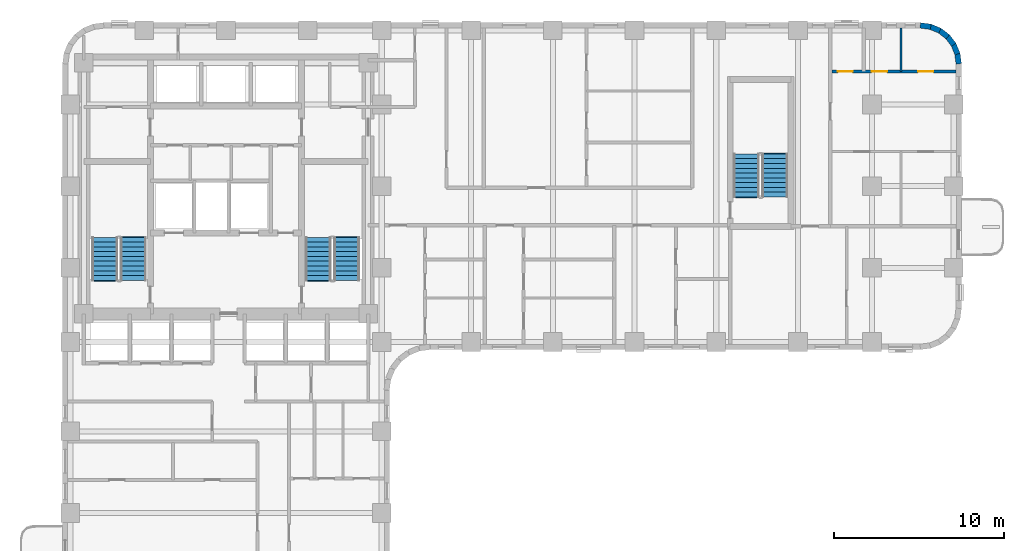
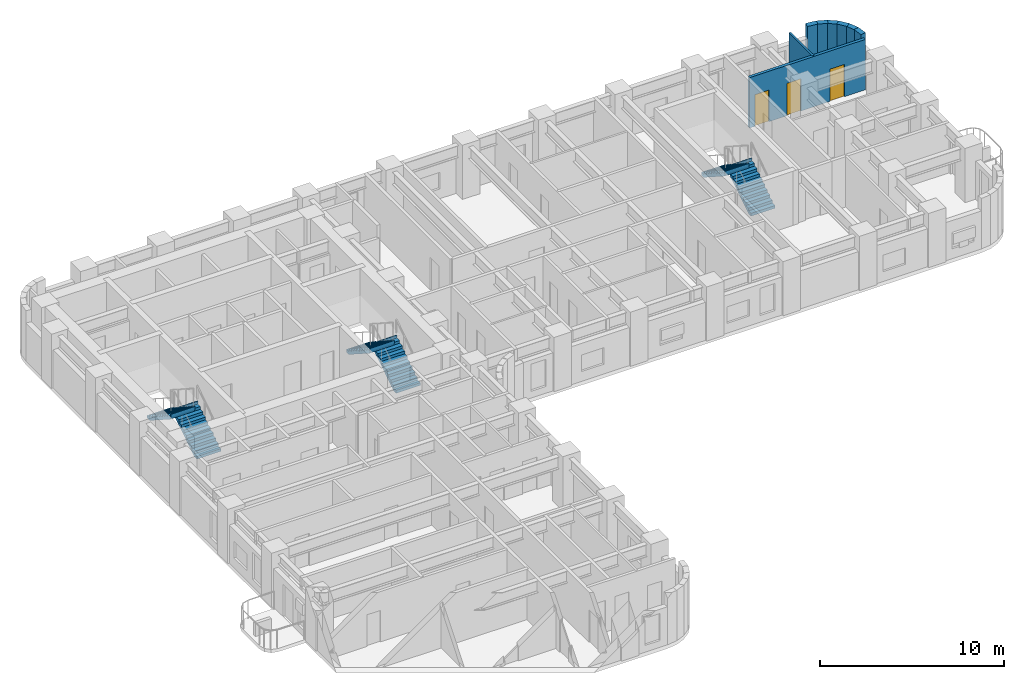
# One storey, part 8 of 11: 8 walls, 6 stair flights, 3 doors, 3 openings, 3 elements without a shape of their own.
"""IFC4 building model written with IfcOpenShell, lengths in metres."""

from ifc_helpers import new_model, si_unit, direction, frame, frame_2d, origin, place, context, subcontext, project, spatial, polyline, rectangle, outline, extrude, material, layer, layer_set, type_object, element, fill, aggregate, save


model = new_model("IFC4")

# Units and contexts
model_context = context("Model", 3, precision=1e-05, world=origin(), true_north=direction((0.0, 1.0)))
body_context = subcontext(model_context, "Body", "Model", "MODEL_VIEW")
ifc_project = project(units=[si_unit("LENGTHUNIT", "METRE"), si_unit("AREAUNIT", "SQUARE_METRE"), si_unit("VOLUMEUNIT", "CUBIC_METRE"), si_unit("PLANEANGLEUNIT", "RADIAN"), si_unit("MASSUNIT", "GRAM", prefix="KILO")], contexts=[model_context])

# Site, building, storey
site_placement = place(None, origin())
site = spatial("IfcSite", under=ifc_project, at=site_placement, CompositionType="ELEMENT")
building_placement = place(site_placement, origin())
building = spatial("IfcBuilding", under=site, at=building_placement, Name="Orvandelia Arch Residences", CompositionType="ELEMENT")
storey_placement = place(building_placement, frame((0.0, 0.0, 50.199951171875)))
storey = spatial("IfcBuildingStorey", under=building, at=storey_placement, Name="L12", CompositionType="ELEMENT", Elevation=50.199951171875)

# Walls
ifc_material_1 = material(Name="Precast concrete C40/50", Category="concrete")
ifc_layer_1 = layer(ifc_material_1, 0.320068359375, Name="Precast concrete C40/50", Category="concrete")
ifc_layer_set_1 = layer_set([ifc_layer_1], Name="Precast concrete C40/50")
wall_type_1 = type_object("IfcWallType", Name="WL-EXT-STONE-320", PredefinedType="STANDARD", material=ifc_layer_set_1)
for number, where, z_axis, x_axis, name in (
    (1, (55.17919921875, 47.84130859375, 0.0), (0.0, 0.0, 1.0), (0.9914410257, -0.130555323746, 0.0), "Coral-Limestone Precast Facade Wall L12-008"),
    (2, (55.760009765625, 47.7705078125, 0.0), (0.0, 0.0, 1.0), (0.92389335771, -0.382650053678, 0.0), "Coral-Limestone Precast Facade Wall L12-009"),
):
    element("IfcWall", number, at=place(storey_placement, frame(where, z_axis=z_axis, x_axis=x_axis)), inside=storey, type_object=wall_type_1, Name=name, PredefinedType="STANDARD", context=body_context, shape_type="SweptSolid", body=[
        extrude(rectangle(XDim=0.62646484375, YDim=0.320068359375, at=frame_2d((0.313232421875, 0.0))), origin(), (0.0, 0.0, 1.0), 3.35009765625),
    ])
wall_1_placement = place(storey_placement, frame((56.302490234375, 47.551513671875, 0.0), z_axis=(0.0, 0.0, 1.0), x_axis=(0.793549926411, -0.608505147302, 0.0)))
element("IfcWall", 3, at=wall_1_placement, inside=storey, type_object=wall_type_1, Name="Coral-Limestone Precast Facade Wall L12-010", PredefinedType="STANDARD", context=body_context, shape_type="SweptSolid", body=[
    extrude(rectangle(XDim=0.626708984375, YDim=0.320068359375, at=frame_2d((0.3134765625, 0.0))), origin(), (0.0, 0.0, 1.0), 3.35009765625),
])
for number, where, z_axis, x_axis, name in (
    (4, (56.770263671875, 47.19970703125, 0.0), (0.0, 0.0, 1.0), (0.608693302629, -0.793405610854, 0.0), "Coral-Limestone Precast Facade Wall L12-011"),
    (5, (57.130615234375, 46.73876953125, 0.0), (0.0, 0.0, 1.0), (0.382650053678, -0.92389335771, 0.0), "Coral-Limestone Precast Facade Wall L12-012"),
    (6, (57.359619140625, 46.2001953125, 0.0), (0.0, 0.0, 1.0), (0.130555323746, -0.9914410257, 0.0), "Coral-Limestone Precast Facade Wall L12-013"),
):
    element("IfcWall", number, at=place(storey_placement, frame(where, z_axis=z_axis, x_axis=x_axis)), inside=storey, type_object=wall_type_1, Name=name, PredefinedType="STANDARD", context=body_context, shape_type="SweptSolid", body=[
        extrude(rectangle(XDim=0.62646484375, YDim=0.320068359375, at=frame_2d((0.313232421875, 0.0))), origin(), (0.0, 0.0, 1.0), 3.35009765625),
    ])
ifc_material_2 = material(Name="Lightweight Gypsum Stud Partition")
ifc_layer_2 = layer(ifc_material_2, 0.1201171875, Name="Lightweight Gypsum Stud Partition")
ifc_layer_set_2 = layer_set([ifc_layer_2], Name="Lightweight Gypsum Stud Partition")
wall_type_2 = type_object("IfcWallType", Name="WL-PART-120", PredefinedType="PARTITIONING", material=ifc_layer_set_2)
wall_2_placement = place(storey_placement, frame((54.048095703125, 45.138916015625, 0.0), z_axis=(0.0, 0.0, 1.0), x_axis=(0.0, 1.0, 0.0)))
element("IfcWall", 7, at=wall_2_placement, inside=storey, type_object=wall_type_2, Name="Interior Partition Wall WL-L12-U10-V2", PredefinedType="PARTITIONING", context=body_context, shape_type="SweptSolid", body=[
    extrude(rectangle(XDim=2.541015625, YDim=0.1201171875, at=frame_2d((1.2705078125, 0.0))), origin(), (0.0, 0.0, 1.0), 3.35009765625),
])

# Wall, openings, doors
ifc_material_3 = material(Name="Moisture-Resistant Plumbing Wall")
ifc_layer_3 = layer(ifc_material_3, 0.179931640625, Name="Moisture-Resistant Plumbing Wall")
ifc_layer_set_3 = layer_set([ifc_layer_3], Name="Moisture-Resistant Plumbing Wall")
wall_type_3 = type_object("IfcWallType", Name="WL-WET-180", PredefinedType="PLUMBINGWALL", material=ifc_layer_set_3)
wall_3_placement = place(storey_placement, frame((50.0, 45.138916015625, 0.0), z_axis=(0.0, 0.0, 1.0), x_axis=(1.0, 0.0, 0.0)))
wall_3 = element("IfcWall", 8, at=wall_3_placement, inside=storey, type_object=wall_type_3, Name="Interior Partition Wall WL-L12-U10-HZ", PredefinedType="PLUMBINGWALL", context=body_context, shape_type="SweptSolid", body=[
    extrude(rectangle(XDim=7.280029296875, YDim=0.179931640625, at=frame_2d((3.64013671875, 0.0))), origin(), (0.0, 0.0, 1.0), 3.35009765625),
])
opening_1_placement = place(wall_3_placement, frame((0.343017578125, 0.0, 0.0)))
opening_1 = element("IfcOpeningElement", 9, at=opening_1_placement, cuts=wall_3, Name="Opening D4", PredefinedType="OPENING", context=body_context, shape_type="SweptSolid", body=[
    extrude(rectangle(XDim=0.860107421875, YDim=2.10009765625, at=frame_2d((0.43017578125, 1.050048828125))), frame((0.0, 0.10009765625, 0.0), z_axis=(0.0, -1.0, 0.0), x_axis=(1.0, 0.0, 0.0)), (0.0, 0.0, 1.0), 0.199951171875),
])
opening_2_placement = place(wall_3_placement, frame((2.328125, 0.0, 0.0)))
opening_2 = element("IfcOpeningElement", 10, at=opening_2_placement, cuts=wall_3, Name="Opening D3", PredefinedType="OPENING", context=body_context, shape_type="SweptSolid", body=[
    extrude(rectangle(XDim=0.89990234375, YDim=2.14990234375, at=frame_2d((0.449951171875, 1.074951171875))), frame((0.0, 0.10009765625, 0.0), z_axis=(0.0, -1.0, 0.0), x_axis=(1.0, 0.0, 0.0)), (0.0, 0.0, 1.0), 0.199951171875),
])
opening_3_placement = place(wall_3_placement, frame((5.056884765625, 0.0, 0.0)))
opening_3 = element("IfcOpeningElement", 11, at=opening_3_placement, cuts=wall_3, Name="Opening D3", PredefinedType="OPENING", context=body_context, shape_type="SweptSolid", body=[
    extrude(rectangle(XDim=0.89990234375, YDim=2.14990234375, at=frame_2d((0.449951171875, 1.074951171875))), frame((0.0, 0.10009765625, 0.0), z_axis=(0.0, -1.0, 0.0), x_axis=(1.0, 0.0, 0.0)), (0.0, 0.0, 1.0), 0.199951171875),
])
ifc_material_4 = material(Name="Engineered Timber Flush Door", Category="wood")
door_type_1 = type_object("IfcDoorType", Name="DR-INT-900", OperationType="NOTDEFINED", PredefinedType="DOOR", material=ifc_material_4)
door_1_placement = place(opening_2_placement, origin())
door_1 = element("IfcDoor", 12, at=door_1_placement, inside=storey, type_object=door_type_1, Name="DR-L12-U10-KIT", OperationType="SINGLE_SWING_RIGHT", OverallHeight=2.14990234375, OverallWidth=0.89990234375, PredefinedType="DOOR", context=body_context, shape_type="SweptSolid", body=[
    extrude(rectangle(XDim=0.89990234375, YDim=2.14990234375, at=frame_2d((0.449951171875, 1.074951171875))), frame((0.0, 0.02490234375, 0.0), z_axis=(0.0, -1.0, 0.0), x_axis=(1.0, 0.0, 0.0)), (0.0, 0.0, 1.0), 0.050048828125),
])
fill(opening_2, door_1)
door_2_placement = place(opening_3_placement, origin())
door_2 = element("IfcDoor", 13, at=door_2_placement, inside=storey, type_object=door_type_1, Name="DR-L12-U10-BD1", OperationType="SINGLE_SWING_LEFT", OverallHeight=2.14990234375, OverallWidth=0.89990234375, PredefinedType="DOOR", context=body_context, shape_type="SweptSolid", body=[
    extrude(rectangle(XDim=0.89990234375, YDim=2.14990234375, at=frame_2d((0.449951171875, 1.074951171875))), frame((0.0, 0.02490234375, 0.0), z_axis=(0.0, -1.0, 0.0), x_axis=(1.0, 0.0, 0.0)), (0.0, 0.0, 1.0), 0.050048828125),
])
fill(opening_3, door_2)
ifc_material_5 = material(Name="Moisture-Sealed Timber Bathroom Door", Category="wood")
door_type_2 = type_object("IfcDoorType", Name="DR-WET-900", OperationType="NOTDEFINED", PredefinedType="DOOR", material=ifc_material_5)
door_3_placement = place(opening_1_placement, origin())
door_3 = element("IfcDoor", 14, at=door_3_placement, inside=storey, type_object=door_type_2, Name="DR-L12-U10-BTH", OperationType="SINGLE_SWING_LEFT", OverallHeight=2.10009765625, OverallWidth=0.860107421875, PredefinedType="DOOR", context=body_context, shape_type="SweptSolid", body=[
    extrude(rectangle(XDim=0.860107421875, YDim=2.10009765625, at=frame_2d((0.43017578125, 1.050048828125))), frame((0.0, 0.02490234375, 0.0), z_axis=(0.0, -1.0, 0.0), x_axis=(1.0, 0.0, 0.0)), (0.0, 0.0, 1.0), 0.050048828125),
])
fill(opening_1, door_3)

# Stair, stair flights
ifc_material_6 = material(Name="Concrete C40/50", Category="concrete")
stair_type = type_object("IfcStairType", Name="STAIR-RC-DOGLEG", PredefinedType="HALF_TURN_STAIR", material=ifc_material_6)
stair_1_placement = place(storey_placement, origin())
stair_1 = element("IfcStair", 15, at=stair_1_placement, inside=storey, type_object=stair_type, Name="L12 Protected Exit Stair ST-1", PredefinedType="HALF_TURN_STAIR")
stair_flight_type = type_object("IfcStairFlightType", Name="STFLT-RC-1520", PredefinedType="STRAIGHT", material=ifc_material_6)
stair_flight_1_placement = place(storey_placement, frame((8.9599609375, 32.8701171875, 0.0), z_axis=(0.0, 0.0, 1.0), x_axis=(0.0, 1.0, 0.0)))
stair_flight_1 = element("IfcStairFlight", 16, at=stair_flight_1_placement, type_object=stair_flight_type, Name="ST-1 flight 1", NumberOfRisers=10, NumberOfTreads=9, PredefinedType="STRAIGHT", RiserHeight=0.18, TreadLength=0.28, context=body_context, shape_type="SweptSolid", body=[
    extrude(outline(polyline([(0.0, 0.0), (0.0, 0.179931640625), (0.280029296875, 0.179931640625), (0.280029296875, 0.360107421875), (0.56005859375, 0.360107421875), (0.56005859375, 0.5400390625), (0.840087890625, 0.5400390625), (0.840087890625, 0.719970703125), (1.1201171875, 0.719970703125), (1.1201171875, 0.89990234375), (1.39990234375, 0.89990234375), (1.39990234375, 1.080078125), (1.679931640625, 1.080078125), (1.679931640625, 1.260009765625), (1.9599609375, 1.260009765625), (1.9599609375, 1.43994140625), (2.239990234375, 1.43994140625), (2.239990234375, 1.6201171875), (2.52001953125, 1.6201171875), (2.52001953125, 1.800048828125), (2.580078125, 1.800048828125), (2.580078125, 1.6201171875), (2.52001953125, 1.44189453125), (0.277099609375, 0.0), (0.0, 0.0)])), frame((0.0, 0.760009765625, 0.0), z_axis=(0.0, -1.0, 0.0), x_axis=(1.0, 0.0, 0.0)), (0.0, 0.0, 1.0), 1.52001953125),
])
stair_flight_2_placement = place(storey_placement, frame((7.2900390625, 35.389892578125, 1.800048828125), z_axis=(0.0, 0.0, 1.0), x_axis=(0.0, -1.0, 0.0)))
stair_flight_2 = element("IfcStairFlight", 17, at=stair_flight_2_placement, type_object=stair_flight_type, Name="ST-1 flight 2", NumberOfRisers=10, NumberOfTreads=9, PredefinedType="STRAIGHT", RiserHeight=0.18, TreadLength=0.28, context=body_context, shape_type="SweptSolid", body=[
    extrude(outline(polyline([(0.0, 0.0), (0.0, 0.179931640625), (0.280029296875, 0.179931640625), (0.280029296875, 0.360107421875), (0.56005859375, 0.360107421875), (0.56005859375, 0.5400390625), (0.840087890625, 0.5400390625), (0.840087890625, 0.719970703125), (1.1201171875, 0.719970703125), (1.1201171875, 0.89990234375), (1.39990234375, 0.89990234375), (1.39990234375, 1.080078125), (1.679931640625, 1.080078125), (1.679931640625, 1.260009765625), (1.9599609375, 1.260009765625), (1.9599609375, 1.43994140625), (2.239990234375, 1.43994140625), (2.239990234375, 1.6201171875), (2.52001953125, 1.6201171875), (2.52001953125, 1.800048828125), (2.580078125, 1.800048828125), (2.580078125, 1.6201171875), (2.52001953125, 1.44189453125), (0.277099609375, 0.0), (0.0, 0.0)])), frame((0.0, 0.760009765625, 0.0), z_axis=(0.0, -1.0, 0.0), x_axis=(1.0, 0.0, 0.0)), (0.0, 0.0, 1.0), 1.52001953125),
])
aggregate(stair_1, [stair_flight_1, stair_flight_2])

stair_2_placement = place(storey_placement, origin())
stair_2 = element("IfcStair", 18, at=stair_2_placement, inside=storey, type_object=stair_type, Name="L12 Protected Exit Stair ST-2", PredefinedType="HALF_TURN_STAIR")
stair_flight_3_placement = place(storey_placement, frame((21.489990234375, 32.8701171875, 0.0), z_axis=(0.0, 0.0, 1.0), x_axis=(0.0, 1.0, 0.0)))
stair_flight_3 = element("IfcStairFlight", 19, at=stair_flight_3_placement, type_object=stair_flight_type, Name="ST-2 flight 1", NumberOfRisers=10, NumberOfTreads=9, PredefinedType="STRAIGHT", RiserHeight=0.18, TreadLength=0.28, context=body_context, shape_type="SweptSolid", body=[
    extrude(outline(polyline([(0.0, 0.0), (0.0, 0.179931640625), (0.280029296875, 0.179931640625), (0.280029296875, 0.360107421875), (0.56005859375, 0.360107421875), (0.56005859375, 0.5400390625), (0.840087890625, 0.5400390625), (0.840087890625, 0.719970703125), (1.1201171875, 0.719970703125), (1.1201171875, 0.89990234375), (1.39990234375, 0.89990234375), (1.39990234375, 1.080078125), (1.679931640625, 1.080078125), (1.679931640625, 1.260009765625), (1.9599609375, 1.260009765625), (1.9599609375, 1.43994140625), (2.239990234375, 1.43994140625), (2.239990234375, 1.6201171875), (2.52001953125, 1.6201171875), (2.52001953125, 1.800048828125), (2.580078125, 1.800048828125), (2.580078125, 1.6201171875), (2.52001953125, 1.44189453125), (0.277099609375, 0.0), (0.0, 0.0)])), frame((0.0, 0.760009765625, 0.0), z_axis=(0.0, -1.0, 0.0), x_axis=(1.0, 0.0, 0.0)), (0.0, 0.0, 1.0), 1.52001953125),
])
stair_flight_4_placement = place(storey_placement, frame((19.820068359375, 35.389892578125, 1.800048828125), z_axis=(0.0, 0.0, 1.0), x_axis=(0.0, -1.0, 0.0)))
stair_flight_4 = element("IfcStairFlight", 20, at=stair_flight_4_placement, type_object=stair_flight_type, Name="ST-2 flight 2", NumberOfRisers=10, NumberOfTreads=9, PredefinedType="STRAIGHT", RiserHeight=0.18, TreadLength=0.28, context=body_context, shape_type="SweptSolid", body=[
    extrude(outline(polyline([(0.0, 0.0), (0.0, 0.179931640625), (0.280029296875, 0.179931640625), (0.280029296875, 0.360107421875), (0.56005859375, 0.360107421875), (0.56005859375, 0.5400390625), (0.840087890625, 0.5400390625), (0.840087890625, 0.719970703125), (1.1201171875, 0.719970703125), (1.1201171875, 0.89990234375), (1.39990234375, 0.89990234375), (1.39990234375, 1.080078125), (1.679931640625, 1.080078125), (1.679931640625, 1.260009765625), (1.9599609375, 1.260009765625), (1.9599609375, 1.43994140625), (2.239990234375, 1.43994140625), (2.239990234375, 1.6201171875), (2.52001953125, 1.6201171875), (2.52001953125, 1.800048828125), (2.580078125, 1.800048828125), (2.580078125, 1.6201171875), (2.52001953125, 1.44189453125), (0.277099609375, 0.0), (0.0, 0.0)])), frame((0.0, 0.760009765625, 0.0), z_axis=(0.0, -1.0, 0.0), x_axis=(1.0, 0.0, 0.0)), (0.0, 0.0, 1.0), 1.52001953125),
])
aggregate(stair_2, [stair_flight_3, stair_flight_4])

stair_3_placement = place(storey_placement, origin())
stair_3 = element("IfcStair", 21, at=stair_3_placement, inside=storey, type_object=stair_type, Name="L12 East Wing Exit Stair ST-3", PredefinedType="HALF_TURN_STAIR")
stair_flight_5_placement = place(storey_placement, frame((46.639892578125, 37.77001953125, 0.0), z_axis=(0.0, 0.0, 1.0), x_axis=(0.0, 1.0, 0.0)))
stair_flight_5 = element("IfcStairFlight", 22, at=stair_flight_5_placement, type_object=stair_flight_type, Name="ST-3 flight 1", NumberOfRisers=10, NumberOfTreads=9, PredefinedType="STRAIGHT", RiserHeight=0.18, TreadLength=0.28, context=body_context, shape_type="SweptSolid", body=[
    extrude(outline(polyline([(0.0, 0.0), (0.0, 0.179931640625), (0.280029296875, 0.179931640625), (0.280029296875, 0.360107421875), (0.56005859375, 0.360107421875), (0.56005859375, 0.5400390625), (0.840087890625, 0.5400390625), (0.840087890625, 0.719970703125), (1.1201171875, 0.719970703125), (1.1201171875, 0.89990234375), (1.39990234375, 0.89990234375), (1.39990234375, 1.080078125), (1.679931640625, 1.080078125), (1.679931640625, 1.260009765625), (1.9599609375, 1.260009765625), (1.9599609375, 1.43994140625), (2.239990234375, 1.43994140625), (2.239990234375, 1.6201171875), (2.52001953125, 1.6201171875), (2.52001953125, 1.800048828125), (2.580078125, 1.800048828125), (2.580078125, 1.6201171875), (2.52001953125, 1.44189453125), (0.277099609375, 0.0), (0.0, 0.0)])), frame((0.0, 0.760009765625, 0.0), z_axis=(0.0, -1.0, 0.0), x_axis=(1.0, 0.0, 0.0)), (0.0, 0.0, 1.0), 1.52001953125),
])
stair_flight_6_placement = place(storey_placement, frame((44.969970703125, 40.2900390625, 1.800048828125), z_axis=(0.0, 0.0, 1.0), x_axis=(0.0, -1.0, 0.0)))
stair_flight_6 = element("IfcStairFlight", 23, at=stair_flight_6_placement, type_object=stair_flight_type, Name="ST-3 flight 2", NumberOfRisers=10, NumberOfTreads=9, PredefinedType="STRAIGHT", RiserHeight=0.18, TreadLength=0.28, context=body_context, shape_type="SweptSolid", body=[
    extrude(outline(polyline([(0.0, 0.0), (0.0, 0.179931640625), (0.280029296875, 0.179931640625), (0.280029296875, 0.360107421875), (0.56005859375, 0.360107421875), (0.56005859375, 0.5400390625), (0.840087890625, 0.5400390625), (0.840087890625, 0.719970703125), (1.1201171875, 0.719970703125), (1.1201171875, 0.89990234375), (1.39990234375, 0.89990234375), (1.39990234375, 1.080078125), (1.679931640625, 1.080078125), (1.679931640625, 1.260009765625), (1.9599609375, 1.260009765625), (1.9599609375, 1.43994140625), (2.239990234375, 1.43994140625), (2.239990234375, 1.6201171875), (2.52001953125, 1.6201171875), (2.52001953125, 1.800048828125), (2.580078125, 1.800048828125), (2.580078125, 1.6201171875), (2.52001953125, 1.44189453125), (0.277099609375, 0.0), (0.0, 0.0)])), frame((0.0, 0.760009765625, 0.0), z_axis=(0.0, -1.0, 0.0), x_axis=(1.0, 0.0, 0.0)), (0.0, 0.0, 1.0), 1.52001953125),
])
aggregate(stair_3, [stair_flight_5, stair_flight_6])

save(model, "model.ifc")
